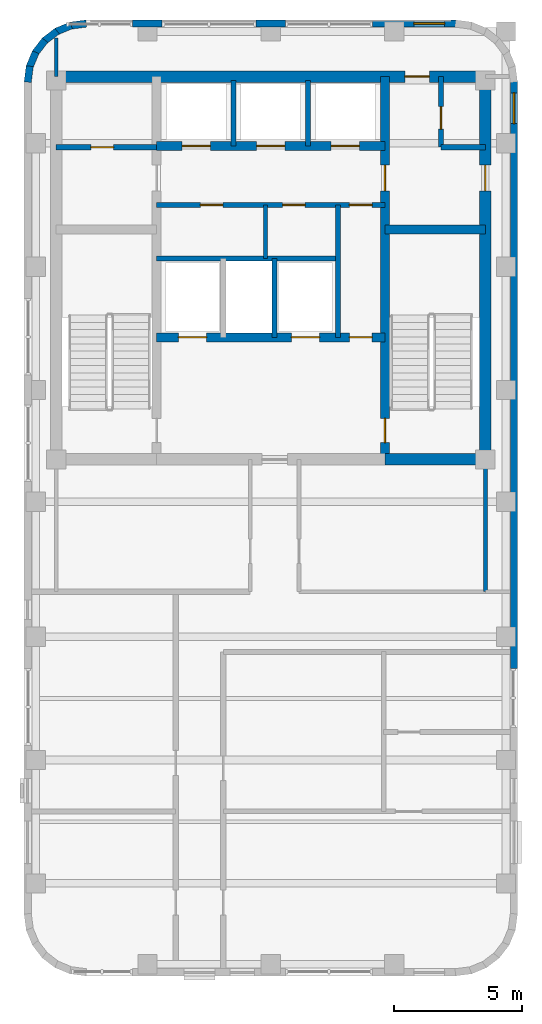
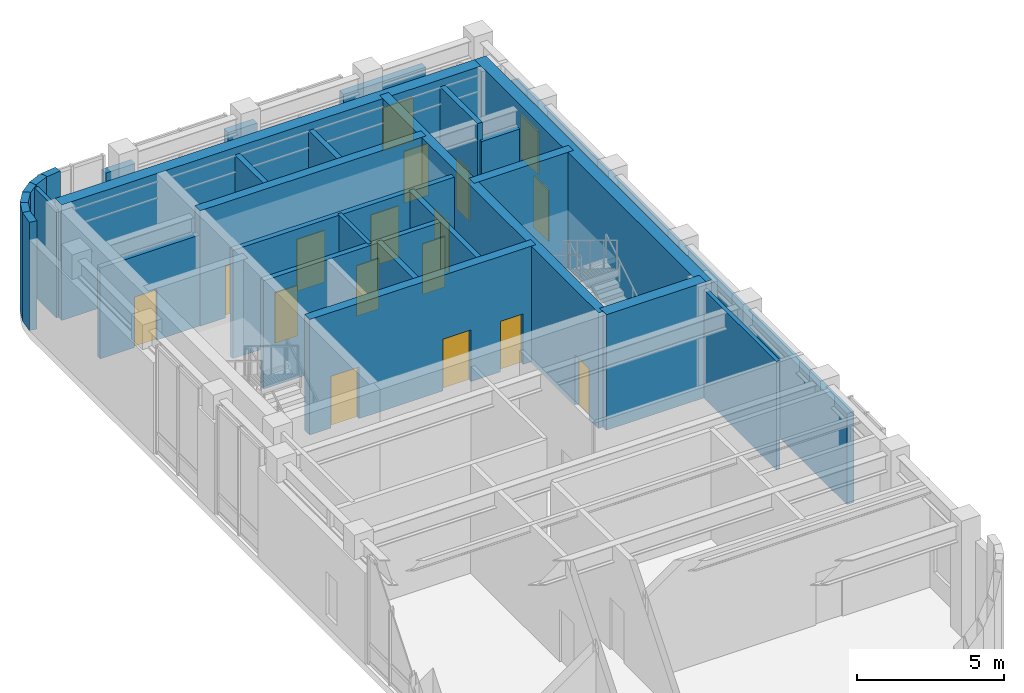
# One storey, part 5 of 8: 29 walls, 15 doors, 2 windows, 17 openings.
"""IFC4 building model written with IfcOpenShell, lengths in metres."""

from ifc_helpers import new_model, si_unit, direction, frame, frame_2d, origin, place, context, subcontext, project, spatial, rectangle, extrude, material, layer, layer_set, type_object, element, fill, save


model = new_model("IFC4")

# Units and contexts
model_context = context("Model", 3, precision=1e-05, world=origin(), true_north=direction((0.0, 1.0)))
body_context = subcontext(model_context, "Body", "Model", "MODEL_VIEW")
ifc_project = project(units=[si_unit("LENGTHUNIT", "METRE"), si_unit("AREAUNIT", "SQUARE_METRE"), si_unit("VOLUMEUNIT", "CUBIC_METRE"), si_unit("PLANEANGLEUNIT", "RADIAN"), si_unit("MASSUNIT", "GRAM", prefix="KILO")], contexts=[model_context])

# Site, building, storey
site_placement = place(None, origin())
site = spatial("IfcSite", under=ifc_project, at=site_placement, CompositionType="ELEMENT")
building_placement = place(site_placement, origin())
building = spatial("IfcBuilding", under=site, at=building_placement, Name="Orvandelia Arch Residences", CompositionType="ELEMENT")
storey_placement = place(building_placement, frame((0.0, 0.0, 291.39990234375)))
storey = spatial("IfcBuildingStorey", under=building, at=storey_placement, Name="L75", CompositionType="ELEMENT", Elevation=291.39990234375)

# Wall, openings, doors
ifc_material_1 = material(Name="Concrete C50/60", Category="concrete")
ifc_layer_1 = layer(ifc_material_1, 0.35009765625, Name="Concrete C50/60", Category="concrete")
ifc_layer_set_1 = layer_set([ifc_layer_1], Name="Concrete C50/60")
wall_type_1 = type_object("IfcWallType", Name="WL-CORE-350", PredefinedType="SHEAR", material=ifc_layer_set_1)
wall_1_placement = place(storey_placement, frame((18.840087890625, 30.89990234375, 0.0), z_axis=(0.0, 0.0, 1.0), x_axis=(0.0, 1.0, 0.0)))
wall_1 = element("IfcWall", 1, at=wall_1_placement, inside=storey, type_object=wall_type_1, Name="Core Shear Wall L75-WEB2", PredefinedType="SHEAR", context=body_context, shape_type="SweptSolid", body=[
    extrude(rectangle(XDim=14.900146484375, YDim=0.35009765625, at=frame_2d((7.4501953125, 0.0))), origin(), (0.0, 0.0, 1.0), 4.800048828125),
])
opening_1_placement = place(wall_1_placement, frame((0.64990234375, 0.0, 0.0)))
opening_1 = element("IfcOpeningElement", 2, at=opening_1_placement, cuts=wall_1, Name="Opening D7", PredefinedType="OPENING", context=body_context, shape_type="SweptSolid", body=[
    extrude(rectangle(XDim=0.949951171875, YDim=2.10009765625, at=frame_2d((0.47509765625, 1.050048828125))), frame((0.0, 0.18505859375, 0.0), z_axis=(0.0, -1.0, 0.0), x_axis=(1.0, 0.0, 0.0)), (0.0, 0.0, 1.0), 0.3701171875),
])
opening_2_placement = place(wall_1_placement, frame((10.449951171875, 0.0, 0.0)))
opening_2 = element("IfcOpeningElement", 3, at=opening_2_placement, cuts=wall_1, Name="Opening D6", PredefinedType="OPENING", context=body_context, shape_type="SweptSolid", body=[
    extrude(rectangle(XDim=1.0, YDim=2.14990234375, at=frame_2d((0.5, 1.074951171875))), frame((0.0, 0.18505859375, 0.0), z_axis=(0.0, -1.0, 0.0), x_axis=(1.0, 0.0, 0.0)), (0.0, 0.0, 1.0), 0.3701171875),
])
ifc_material_2 = material(Name="Smokeproof Painted Steel Fire Door", Category="steel")
door_type_1 = type_object("IfcDoorType", Name="DR-FD60-1000", OperationType="NOTDEFINED", PredefinedType="DOOR", material=ifc_material_2)
door_1_placement = place(opening_2_placement, origin())
door_1 = element("IfcDoor", 4, at=door_1_placement, inside=storey, type_object=door_type_1, Name="High-Rise Lift Hall East Vestibule Door L75", OperationType="SINGLE_SWING_RIGHT", OverallHeight=2.14990234375, OverallWidth=1.0, PredefinedType="DOOR", context=body_context, shape_type="SweptSolid", body=[
    extrude(rectangle(XDim=1.0, YDim=2.14990234375, at=frame_2d((0.5, 1.074951171875))), frame((0.0, 0.02490234375, 0.0), z_axis=(0.0, -1.0, 0.0), x_axis=(1.0, 0.0, 0.0)), (0.0, 0.0, 1.0), 0.050048828125),
])
fill(opening_2, door_1)
ifc_material_3 = material(Name="Pressurised Stairwell Fire Door")
door_type_2 = type_object("IfcDoorType", Name="DR-STAIR-950", OperationType="NOTDEFINED", PredefinedType="DOOR", material=ifc_material_3)
door_2_placement = place(opening_1_placement, origin())
door_2 = element("IfcDoor", 5, at=door_2_placement, inside=storey, type_object=door_type_2, Name="Stairwell ST-2 Fire Door L75", OperationType="SINGLE_SWING_RIGHT", OverallHeight=2.10009765625, OverallWidth=0.949951171875, PredefinedType="DOOR", context=body_context, shape_type="SweptSolid", body=[
    extrude(rectangle(XDim=0.949951171875, YDim=2.10009765625, at=frame_2d((0.47509765625, 1.050048828125))), frame((0.0, 0.02490234375, 0.0), z_axis=(0.0, -1.0, 0.0), x_axis=(1.0, 0.0, 0.0)), (0.0, 0.0, 1.0), 0.050048828125),
])
fill(opening_1, door_2)

# Wall
wall_2_placement = place(storey_placement, frame((18.840087890625, 39.85009765625, 0.0), z_axis=(0.0, 0.0, 1.0), x_axis=(1.0, 0.0, 0.0)))
element("IfcWall", 6, at=wall_2_placement, inside=storey, type_object=wall_type_1, Name="Core Shear Wall L75-HZ2", PredefinedType="SHEAR", context=body_context, shape_type="SweptSolid", body=[
    extrude(rectangle(XDim=3.909912109375, YDim=0.35009765625, at=frame_2d((1.955078125, 0.0))), origin(), (0.0, 0.0, 1.0), 4.800048828125),
])

# Wall, openings, doors
wall_3_placement = place(storey_placement, frame((9.9599609375, 35.64990234375, 0.0), z_axis=(0.0, 0.0, 1.0), x_axis=(1.0, 0.0, 0.0)))
wall_3 = element("IfcWall", 7, at=wall_3_placement, inside=storey, type_object=wall_type_1, Name="Core Shear Wall L75-HZ3", PredefinedType="SHEAR", context=body_context, shape_type="SweptSolid", body=[
    extrude(rectangle(XDim=8.880126953125, YDim=0.35009765625, at=frame_2d((4.43994140625, 0.0))), origin(), (0.0, 0.0, 1.0), 4.800048828125),
])
opening_3_placement = place(wall_3_placement, frame((0.840087890625, 0.0, 0.0)))
opening_3 = element("IfcOpeningElement", 8, at=opening_3_placement, cuts=wall_3, Name="Opening FLD", PredefinedType="OPENING", context=body_context, shape_type="SweptSolid", body=[
    extrude(rectangle(XDim=1.10009765625, YDim=2.14990234375, at=frame_2d((0.550048828125, 1.074951171875))), frame((0.0, 0.18505859375, 0.0), z_axis=(0.0, -1.0, 0.0), x_axis=(1.0, 0.0, 0.0)), (0.0, 0.0, 1.0), 0.3701171875),
])
opening_4_placement = place(wall_3_placement, frame((5.239990234375, 0.0, 0.0)))
opening_4 = element("IfcOpeningElement", 9, at=opening_4_placement, cuts=wall_3, Name="Opening FLD", PredefinedType="OPENING", context=body_context, shape_type="SweptSolid", body=[
    extrude(rectangle(XDim=1.10009765625, YDim=2.14990234375, at=frame_2d((0.550048828125, 1.074951171875))), frame((0.0, 0.18505859375, 0.0), z_axis=(0.0, -1.0, 0.0), x_axis=(1.0, 0.0, 0.0)), (0.0, 0.0, 1.0), 0.3701171875),
])
opening_5_placement = place(wall_3_placement, frame((7.5, 0.0, 0.0)))
opening_5 = element("IfcOpeningElement", 10, at=opening_5_placement, cuts=wall_3, Name="Opening D5", PredefinedType="OPENING", context=body_context, shape_type="SweptSolid", body=[
    extrude(rectangle(XDim=0.8798828125, YDim=2.10009765625, at=frame_2d((0.43994140625, 1.050048828125))), frame((0.0, 0.18505859375, 0.0), z_axis=(0.0, -1.0, 0.0), x_axis=(1.0, 0.0, 0.0)), (0.0, 0.0, 1.0), 0.3701171875),
])
ifc_material_4 = material(Name="Firefighting Lift Stainless Sliding Door")
door_type_3 = type_object("IfcDoorType", Name="DR-FLFT-1100", OperationType="NOTDEFINED", PredefinedType="DOOR", material=ifc_material_4)
door_3_placement = place(opening_3_placement, origin())
door_3 = element("IfcDoor", 11, at=door_3_placement, inside=storey, type_object=door_type_3, Name="Firefighting Lift Landing Door FLD-FL1-L75", OperationType="SLIDING_TO_LEFT", OverallHeight=2.14990234375, OverallWidth=1.10009765625, PredefinedType="DOOR", context=body_context, shape_type="SweptSolid", body=[
    extrude(rectangle(XDim=1.10009765625, YDim=2.14990234375, at=frame_2d((0.550048828125, 1.074951171875))), frame((0.0, 0.02490234375, 0.0), z_axis=(0.0, -1.0, 0.0), x_axis=(1.0, 0.0, 0.0)), (0.0, 0.0, 1.0), 0.050048828125),
])
fill(opening_3, door_3)
door_4_placement = place(opening_4_placement, origin())
door_4 = element("IfcDoor", 12, at=door_4_placement, inside=storey, type_object=door_type_3, Name="Firefighting Lift Landing Door FLD-FL2-L75", OperationType="SLIDING_TO_RIGHT", OverallHeight=2.14990234375, OverallWidth=1.10009765625, PredefinedType="DOOR", context=body_context, shape_type="SweptSolid", body=[
    extrude(rectangle(XDim=1.10009765625, YDim=2.14990234375, at=frame_2d((0.550048828125, 1.074951171875))), frame((0.0, 0.02490234375, 0.0), z_axis=(0.0, -1.0, 0.0), x_axis=(1.0, 0.0, 0.0)), (0.0, 0.0, 1.0), 0.050048828125),
])
fill(opening_4, door_4)
ifc_material_5 = material(Name="Painted Galvanised Steel Service Door", Category="steel")
door_type_4 = type_object("IfcDoorType", Name="DR-SRV-880", OperationType="NOTDEFINED", PredefinedType="DOOR", material=ifc_material_5)
door_5_placement = place(opening_5_placement, origin())
door_5 = element("IfcDoor", 13, at=door_5_placement, inside=storey, type_object=door_type_4, Name="Core Stairway Passage South Fire Door L75", OperationType="SINGLE_SWING_LEFT", OverallHeight=2.10009765625, OverallWidth=0.8798828125, PredefinedType="DOOR", context=body_context, shape_type="SweptSolid", body=[
    extrude(rectangle(XDim=0.8798828125, YDim=2.10009765625, at=frame_2d((0.43994140625, 1.050048828125))), frame((0.0, 0.02490234375, 0.0), z_axis=(0.0, -1.0, 0.0), x_axis=(1.0, 0.0, 0.0)), (0.0, 0.0, 1.0), 0.050048828125),
])
fill(opening_5, door_5)

wall_4_placement = place(storey_placement, frame((9.9599609375, 43.10009765625, 0.0), z_axis=(0.0, 0.0, 1.0), x_axis=(1.0, 0.0, 0.0)))
wall_4 = element("IfcWall", 14, at=wall_4_placement, inside=storey, type_object=wall_type_1, Name="Core Shear Wall L75-HZ4", PredefinedType="SHEAR", context=body_context, shape_type="SweptSolid", body=[
    extrude(rectangle(XDim=8.880126953125, YDim=0.35009765625, at=frame_2d((4.43994140625, 0.0))), origin(), (0.0, 0.0, 1.0), 4.800048828125),
])
opening_6_placement = place(wall_4_placement, frame((0.989990234375, 0.0, 0.0)))
opening_6 = element("IfcOpeningElement", 15, at=opening_6_placement, cuts=wall_4, Name="Opening LD", PredefinedType="OPENING", context=body_context, shape_type="SweptSolid", body=[
    extrude(rectangle(XDim=1.10009765625, YDim=2.14990234375, at=frame_2d((0.550048828125, 1.074951171875))), frame((0.0, 0.18505859375, 0.0), z_axis=(0.0, -1.0, 0.0), x_axis=(1.0, 0.0, 0.0)), (0.0, 0.0, 1.0), 0.3701171875),
])
opening_7_placement = place(wall_4_placement, frame((3.889892578125, 0.0, 0.0)))
opening_7 = element("IfcOpeningElement", 16, at=opening_7_placement, cuts=wall_4, Name="Opening LD", PredefinedType="OPENING", context=body_context, shape_type="SweptSolid", body=[
    extrude(rectangle(XDim=1.10009765625, YDim=2.14990234375, at=frame_2d((0.550048828125, 1.074951171875))), frame((0.0, 0.18505859375, 0.0), z_axis=(0.0, -1.0, 0.0), x_axis=(1.0, 0.0, 0.0)), (0.0, 0.0, 1.0), 0.3701171875),
])
opening_8_placement = place(wall_4_placement, frame((6.7900390625, 0.0, 0.0)))
opening_8 = element("IfcOpeningElement", 17, at=opening_8_placement, cuts=wall_4, Name="Opening LD", PredefinedType="OPENING", context=body_context, shape_type="SweptSolid", body=[
    extrude(rectangle(XDim=1.10009765625, YDim=2.14990234375, at=frame_2d((0.550048828125, 1.074951171875))), frame((0.0, 0.18505859375, 0.0), z_axis=(0.0, -1.0, 0.0), x_axis=(1.0, 0.0, 0.0)), (0.0, 0.0, 1.0), 0.3701171875),
])
ifc_material_6 = material(Name="Brushed Stainless Steel Sliding Lift Door", Category="steel")
door_type_5 = type_object("IfcDoorType", Name="DR-LIFT-1100", OperationType="NOTDEFINED", PredefinedType="DOOR", material=ifc_material_6)
door_6_placement = place(opening_6_placement, origin())
door_6 = element("IfcDoor", 18, at=door_6_placement, inside=storey, type_object=door_type_5, Name="Lift Landing Door LD-PH1-L75", OperationType="SLIDING_TO_LEFT", OverallHeight=2.14990234375, OverallWidth=1.10009765625, PredefinedType="DOOR", context=body_context, shape_type="SweptSolid", body=[
    extrude(rectangle(XDim=1.10009765625, YDim=2.14990234375, at=frame_2d((0.550048828125, 1.074951171875))), frame((0.0, 0.02490234375, 0.0), z_axis=(0.0, -1.0, 0.0), x_axis=(1.0, 0.0, 0.0)), (0.0, 0.0, 1.0), 0.050048828125),
])
fill(opening_6, door_6)
door_7_placement = place(opening_7_placement, origin())
door_7 = element("IfcDoor", 19, at=door_7_placement, inside=storey, type_object=door_type_5, Name="Lift Landing Door LD-PH2-L75", OperationType="SLIDING_TO_RIGHT", OverallHeight=2.14990234375, OverallWidth=1.10009765625, PredefinedType="DOOR", context=body_context, shape_type="SweptSolid", body=[
    extrude(rectangle(XDim=1.10009765625, YDim=2.14990234375, at=frame_2d((0.550048828125, 1.074951171875))), frame((0.0, 0.02490234375, 0.0), z_axis=(0.0, -1.0, 0.0), x_axis=(1.0, 0.0, 0.0)), (0.0, 0.0, 1.0), 0.050048828125),
])
fill(opening_7, door_7)
door_8_placement = place(opening_8_placement, origin())
door_8 = element("IfcDoor", 20, at=door_8_placement, inside=storey, type_object=door_type_5, Name="Lift Landing Door LD-PH3-L75", OperationType="SLIDING_TO_LEFT", OverallHeight=2.14990234375, OverallWidth=1.10009765625, PredefinedType="DOOR", context=body_context, shape_type="SweptSolid", body=[
    extrude(rectangle(XDim=1.10009765625, YDim=2.14990234375, at=frame_2d((0.550048828125, 1.074951171875))), frame((0.0, 0.02490234375, 0.0), z_axis=(0.0, -1.0, 0.0), x_axis=(1.0, 0.0, 0.0)), (0.0, 0.0, 1.0), 0.050048828125),
])
fill(opening_8, door_8)

# Wall, opening, door
ifc_layer_2 = layer(ifc_material_1, 0.449951171875, Name="Concrete C50/60", Category="concrete")
ifc_layer_set_2 = layer_set([ifc_layer_2], Name="Concrete C50/60")
wall_type_2 = type_object("IfcWallType", Name="WL-CORE-450", PredefinedType="SHEAR", material=ifc_layer_set_2)
wall_5_placement = place(storey_placement, frame((22.75, 30.675048828125, 0.0), z_axis=(0.0, 0.0, 1.0), x_axis=(0.0, 1.0, 0.0)))
wall_5 = element("IfcWall", 21, at=wall_5_placement, inside=storey, type_object=wall_type_2, Name="Core Shear Wall L75-E", PredefinedType="SHEAR", context=body_context, shape_type="SweptSolid", body=[
    extrude(rectangle(XDim=15.349853515625, YDim=0.449951171875, at=frame_2d((7.6748046875, 0.0))), origin(), (0.0, 0.0, 1.0), 4.800048828125),
])
opening_9_placement = place(wall_5_placement, frame((10.675048828125, 0.0, 0.0)))
opening_9 = element("IfcOpeningElement", 22, at=opening_9_placement, cuts=wall_5, Name="Opening D6", PredefinedType="OPENING", context=body_context, shape_type="SweptSolid", body=[
    extrude(rectangle(XDim=1.0, YDim=2.14990234375, at=frame_2d((0.5, 1.074951171875))), frame((0.0, 0.23486328125, 0.0), z_axis=(0.0, -1.0, 0.0), x_axis=(1.0, 0.0, 0.0)), (0.0, 0.0, 1.0), 0.469970703125),
])
door_9_placement = place(opening_9_placement, origin())
door_9 = element("IfcDoor", 23, at=door_9_placement, inside=storey, type_object=door_type_1, Name="Core East Corridor Link Door L75", OperationType="SINGLE_SWING_LEFT", OverallHeight=2.14990234375, OverallWidth=1.0, PredefinedType="DOOR", context=body_context, shape_type="SweptSolid", body=[
    extrude(rectangle(XDim=1.0, YDim=2.14990234375, at=frame_2d((0.5, 1.074951171875))), frame((0.0, 0.02490234375, 0.0), z_axis=(0.0, -1.0, 0.0), x_axis=(1.0, 0.0, 0.0)), (0.0, 0.0, 1.0), 0.050048828125),
])
fill(opening_9, door_9)

wall_6_placement = place(storey_placement, frame((6.050048828125, 45.800048828125, 0.0), z_axis=(0.0, 0.0, 1.0), x_axis=(1.0, 0.0, 0.0)))
wall_6 = element("IfcWall", 24, at=wall_6_placement, inside=storey, type_object=wall_type_2, Name="Core Shear Wall L75-N", PredefinedType="SHEAR", context=body_context, shape_type="SweptSolid", body=[
    extrude(rectangle(XDim=16.699951171875, YDim=0.449951171875, at=frame_2d((8.35009765625, 0.0))), origin(), (0.0, 0.0, 1.0), 4.800048828125),
])
opening_10_placement = place(wall_6_placement, frame((13.570068359375, 0.0, 0.0)))
opening_10 = element("IfcOpeningElement", 25, at=opening_10_placement, cuts=wall_6, Name="Opening D2", PredefinedType="OPENING", context=body_context, shape_type="SweptSolid", body=[
    extrude(rectangle(XDim=0.949951171875, YDim=2.14990234375, at=frame_2d((0.47509765625, 1.074951171875))), frame((0.0, 0.23486328125, 0.0), z_axis=(0.0, -1.0, 0.0), x_axis=(1.0, 0.0, 0.0)), (0.0, 0.0, 1.0), 0.469970703125),
])
ifc_material_7 = material(Name="Solid-Core Timber Interior Fire Door", Category="wood")
door_type_6 = type_object("IfcDoorType", Name="DR-APT-950", OperationType="NOTDEFINED", PredefinedType="DOOR", material=ifc_material_7)
door_10_placement = place(opening_10_placement, origin())
door_10 = element("IfcDoor", 26, at=door_10_placement, inside=storey, type_object=door_type_6, Name="North Harbour Suite Entry Door L75", OperationType="SINGLE_SWING_LEFT", OverallHeight=2.14990234375, OverallWidth=0.949951171875, PredefinedType="DOOR", context=body_context, shape_type="SweptSolid", body=[
    extrude(rectangle(XDim=0.949951171875, YDim=2.14990234375, at=frame_2d((0.47509765625, 1.074951171875))), frame((0.0, 0.02490234375, 0.0), z_axis=(0.0, -1.0, 0.0), x_axis=(1.0, 0.0, 0.0)), (0.0, 0.0, 1.0), 0.050048828125),
])
fill(opening_10, door_10)

# Walls
wall_7_placement = place(storey_placement, frame((18.840087890625, 30.89990234375, 0.0), z_axis=(0.0, 0.0, 1.0), x_axis=(1.0, 0.0, 0.0)))
element("IfcWall", 27, at=wall_7_placement, inside=storey, type_object=wall_type_2, Name="Core Shear Wall L75-SE", PredefinedType="SHEAR", context=body_context, shape_type="SweptSolid", body=[
    extrude(rectangle(XDim=3.909912109375, YDim=0.449951171875, at=frame_2d((1.955078125, 0.0))), origin(), (0.0, 0.0, 1.0), 4.800048828125),
])
ifc_material_8 = material(Name="Precast concrete C40/50", Category="concrete")
ifc_layer_3 = layer(ifc_material_8, 0.280029296875, Name="Precast concrete C40/50", Category="concrete")
ifc_layer_set_3 = layer_set([ifc_layer_3], Name="Precast concrete C40/50")
wall_type_3 = type_object("IfcWallType", Name="WL-EXT-STONE-280", PredefinedType="STANDARD", material=ifc_layer_set_3)
for number, where, z_axis, x_axis, name in (
    (28, (4.938720703125, 45.581787109375, 0.0), (0.0, 0.0, 1.0), (0.130555323746, 0.9914410257, 0.0), "Coral-Limestone Precast Facade Wall L75-001"),
    (29, (5.010986328125, 46.16748046875, 0.0), (0.0, 0.0, 1.0), (0.382650053678, 0.92389335771, 0.0), "Coral-Limestone Precast Facade Wall L75-002"),
    (30, (5.232666015625, 46.71484375, 0.0), (0.0, 0.0, 1.0), (0.608693302629, 0.793405610854, 0.0), "Coral-Limestone Precast Facade Wall L75-003"),
    (31, (5.588134765625, 47.18603515625, 0.0), (0.0, 0.0, 1.0), (0.793405610854, 0.608693302629, 0.0), "Coral-Limestone Precast Facade Wall L75-004"),
):
    element("IfcWall", number, at=place(storey_placement, frame(where, z_axis=z_axis, x_axis=x_axis)), inside=storey, type_object=wall_type_3, Name=name, PredefinedType="STANDARD", context=body_context, shape_type="SweptSolid", body=[
        extrude(rectangle(XDim=0.62646484375, YDim=0.280029296875, at=frame_2d((0.313232421875, 0.0))), origin(), (0.0, 0.0, 1.0), 4.5),
    ])
wall_8_placement = place(storey_placement, frame((6.0537109375, 47.54931640625, 0.0), z_axis=(0.0, 0.0, 1.0), x_axis=(0.923974080304, 0.382455093999, 0.0)))
element("IfcWall", 32, at=wall_8_placement, inside=storey, type_object=wall_type_3, Name="Coral-Limestone Precast Facade Wall L75-005", PredefinedType="STANDARD", context=body_context, shape_type="SweptSolid", body=[
    extrude(rectangle(XDim=0.626220703125, YDim=0.280029296875, at=frame_2d((0.31298828125, 0.0))), origin(), (0.0, 0.0, 1.0), 4.5),
])
wall_9_placement = place(storey_placement, frame((6.59716796875, 47.779296875, 0.0), z_axis=(0.0, 0.0, 1.0), x_axis=(0.9914410257, 0.130555323746, 0.0)))
element("IfcWall", 33, at=wall_9_placement, inside=storey, type_object=wall_type_3, Name="Coral-Limestone Precast Facade Wall L75-006", PredefinedType="STANDARD", context=body_context, shape_type="SweptSolid", body=[
    extrude(rectangle(XDim=0.62646484375, YDim=0.280029296875, at=frame_2d((0.313232421875, 0.0))), origin(), (0.0, 0.0, 1.0), 4.5),
])
for number, where, z_axis, x_axis, name in (
    (34, (9.02490234375, 47.860107421875, 0.0), (0.0, 0.0, 1.0), (1.0, 0.0, 0.0), "Coral-Limestone Precast Facade Wall L75-007"),
    (35, (13.824951171875, 47.860107421875, 0.0), (0.0, 0.0, 1.0), (1.0, 0.0, 0.0), "Coral-Limestone Precast Facade Wall L75-008"),
):
    element("IfcWall", number, at=place(storey_placement, frame(where, z_axis=z_axis, x_axis=x_axis)), inside=storey, type_object=wall_type_3, Name=name, PredefinedType="STANDARD", context=body_context, shape_type="SweptSolid", body=[
        extrude(rectangle(XDim=1.150146484375, YDim=0.280029296875, at=frame_2d((0.5751953125, 0.0))), origin(), (0.0, 0.0, 1.0), 3.780029296875),
    ])

# Wall, opening, window
wall_10_placement = place(storey_placement, frame((18.360107421875, 47.860107421875, 0.0), z_axis=(0.0, 0.0, 1.0), x_axis=(1.0, 0.0, 0.0)))
wall_10 = element("IfcWall", 36, at=wall_10_placement, inside=storey, type_object=wall_type_3, Name="Coral-Limestone Precast Facade Wall L75-009", PredefinedType="STANDARD", context=body_context, shape_type="SweptSolid", body=[
    extrude(rectangle(XDim=3.239990234375, YDim=0.280029296875, at=frame_2d((1.6201171875, 0.0))), origin(), (0.0, 0.0, 1.0), 3.780029296875),
])
opening_11_placement = place(wall_10_placement, frame((1.607421875, 0.0, 0.800048828125)))
opening_11 = element("IfcOpeningElement", 37, at=opening_11_placement, cuts=wall_10, Name="Opening W3", PredefinedType="OPENING", context=body_context, shape_type="SweptSolid", body=[
    extrude(rectangle(XDim=1.199951171875, YDim=1.800048828125, at=frame_2d((0.60009765625, 0.89990234375))), frame((0.0, 0.14990234375, 0.0), z_axis=(0.0, -1.0, 0.0), x_axis=(1.0, 0.0, 0.0)), (0.0, 0.0, 1.0), 0.300048828125),
])
ifc_material_9 = material(Name="Tempered Low-E Insulated Glazing", Category="glass")
window_type = type_object("IfcWindowType", Name="WIN-RES-1200x1800", PartitioningType="SINGLE_PANEL", PredefinedType="WINDOW", material=ifc_material_9)
window_1_placement = place(opening_11_placement, origin())
window_1 = element("IfcWindow", 38, at=window_1_placement, inside=storey, type_object=window_type, Name="Recessed Punched Window L75-001", OverallHeight=1.800048828125, OverallWidth=1.199951171875, PartitioningType="SINGLE_PANEL", PredefinedType="WINDOW", context=body_context, shape_type="SweptSolid", body=[
    extrude(rectangle(XDim=1.199951171875, YDim=1.800048828125, at=frame_2d((0.60009765625, 0.89990234375))), frame((0.0, 0.030029296875, 0.0), z_axis=(0.0, -1.0, 0.0), x_axis=(1.0, 0.0, 0.0)), (0.0, 0.0, 1.0), 0.06005859375),
])
fill(opening_11, window_1)

wall_11_placement = place(storey_placement, frame((23.860107421875, 45.60009765625, 0.0), z_axis=(0.0, 0.0, 1.0), x_axis=(0.0, -1.0, 0.0)))
wall_11 = element("IfcWall", 39, at=wall_11_placement, inside=storey, type_object=wall_type_3, Name="Coral-Limestone Precast Facade Wall L75-016", PredefinedType="STANDARD", context=body_context, shape_type="SweptSolid", body=[
    extrude(rectangle(XDim=22.840087890625, YDim=0.280029296875, at=frame_2d((11.419921875, 0.0))), origin(), (0.0, 0.0, 1.0), 3.780029296875),
])
opening_12_placement = place(wall_11_placement, frame((0.4326171875, 0.0, 0.800048828125)))
opening_12 = element("IfcOpeningElement", 40, at=opening_12_placement, cuts=wall_11, Name="Opening W3", PredefinedType="OPENING", context=body_context, shape_type="SweptSolid", body=[
    extrude(rectangle(XDim=1.199951171875, YDim=1.800048828125, at=frame_2d((0.60009765625, 0.89990234375))), frame((0.0, 0.14990234375, 0.0), z_axis=(0.0, -1.0, 0.0), x_axis=(1.0, 0.0, 0.0)), (0.0, 0.0, 1.0), 0.300048828125),
])
window_2_placement = place(opening_12_placement, origin())
window_2 = element("IfcWindow", 41, at=window_2_placement, inside=storey, type_object=window_type, Name="Recessed Punched Window L75-002", OverallHeight=1.800048828125, OverallWidth=1.199951171875, PartitioningType="SINGLE_PANEL", PredefinedType="WINDOW", context=body_context, shape_type="SweptSolid", body=[
    extrude(rectangle(XDim=1.199951171875, YDim=1.800048828125, at=frame_2d((0.60009765625, 0.89990234375))), frame((0.0, 0.030029296875, 0.0), z_axis=(0.0, -1.0, 0.0), x_axis=(1.0, 0.0, 0.0)), (0.0, 0.0, 1.0), 0.06005859375),
])
fill(opening_12, window_2)

# Walls
ifc_material_10 = material(Name="Acoustic Gypsum Stud Partition")
ifc_layer_4 = layer(ifc_material_10, 0.14990234375, Name="Acoustic Gypsum Stud Partition")
ifc_layer_set_4 = layer_set([ifc_layer_4], Name="Acoustic Gypsum Stud Partition")
wall_type_4 = type_object("IfcWallType", Name="WL-PART-150", PredefinedType="PARTITIONING", material=ifc_layer_set_4)
wall_12_placement = place(storey_placement, frame((14.199951171875, 38.719970703125, 0.0), z_axis=(0.0, 0.0, 1.0), x_axis=(0.0, 1.0, 0.0)))
element("IfcWall", 42, at=wall_12_placement, inside=storey, type_object=wall_type_4, Name="Interior Partition Wall WL-L75-CSA-1", PredefinedType="PARTITIONING", context=body_context, shape_type="SweptSolid", body=[
    extrude(rectangle(XDim=2.080078125, YDim=0.14990234375, at=frame_2d((1.0400390625, 0.0))), origin(), (0.0, 0.0, 1.0), 4.5),
])
wall_13_placement = place(storey_placement, frame((22.75, 25.75, 0.0), z_axis=(0.0, 0.0, 1.0), x_axis=(0.0, 1.0, 0.0)))
element("IfcWall", 43, at=wall_13_placement, inside=storey, type_object=wall_type_4, Name="Interior Partition Wall WL-L75-HI-WE", PredefinedType="PARTITIONING", context=body_context, shape_type="SweptSolid", body=[
    extrude(rectangle(XDim=5.14990234375, YDim=0.14990234375, at=frame_2d((2.574951171875, 0.0))), origin(), (0.0, 0.0, 1.0), 4.5),
])
wall_14_placement = place(storey_placement, frame((6.050048828125, 45.800048828125, 0.0), z_axis=(0.0, 0.0, 1.0), x_axis=(0.0, 1.0, 0.0)))
element("IfcWall", 44, at=wall_14_placement, inside=storey, type_object=wall_type_4, Name="Interior Partition Wall WL-L75-N75W", PredefinedType="PARTITIONING", context=body_context, shape_type="SweptSolid", body=[
    extrude(rectangle(XDim=1.5, YDim=0.14990234375, at=frame_2d((0.75, 0.0))), origin(), (0.0, 0.0, 1.0), 4.5),
])
ifc_material_11 = material(Name="Fire-Rated Shaft Enclosure Wall")
ifc_layer_5 = layer(ifc_material_11, 0.199951171875, Name="Fire-Rated Shaft Enclosure Wall")
ifc_layer_set_5 = layer_set([ifc_layer_5], Name="Fire-Rated Shaft Enclosure Wall")
wall_type_5 = type_object("IfcWallType", Name="WL-SHAFT-200", PredefinedType="POLYGONAL", material=ifc_layer_set_5)
wall_15_placement = place(storey_placement, frame((9.9599609375, 38.719970703125, 0.0), z_axis=(0.0, 0.0, 1.0), x_axis=(1.0, 0.0, 0.0)))
element("IfcWall", 45, at=wall_15_placement, inside=storey, type_object=wall_type_5, Name="Interior Partition Wall WL-L75-FLN", PredefinedType="POLYGONAL", context=body_context, shape_type="SweptSolid", body=[
    extrude(rectangle(XDim=7.06005859375, YDim=0.199951171875, at=frame_2d((3.530029296875, 0.0))), origin(), (0.0, 0.0, 1.0), 4.5),
])
wall_16_placement = place(storey_placement, frame((14.550048828125, 35.64990234375, 0.0), z_axis=(0.0, 0.0, 1.0), x_axis=(0.0, 1.0, 0.0)))
element("IfcWall", 46, at=wall_16_placement, inside=storey, type_object=wall_type_5, Name="Interior Partition Wall WL-L75-FLM2", PredefinedType="POLYGONAL", context=body_context, shape_type="SweptSolid", body=[
    extrude(rectangle(XDim=3.070068359375, YDim=0.199951171875, at=frame_2d((1.53515625, 0.0))), origin(), (0.0, 0.0, 1.0), 4.5),
])
wall_17_placement = place(storey_placement, frame((17.02001953125, 35.64990234375, 0.0), z_axis=(0.0, 0.0, 1.0), x_axis=(0.0, 1.0, 0.0)))
element("IfcWall", 47, at=wall_17_placement, inside=storey, type_object=wall_type_5, Name="Interior Partition Wall WL-L75-FLM3", PredefinedType="POLYGONAL", context=body_context, shape_type="SweptSolid", body=[
    extrude(rectangle(XDim=5.150146484375, YDim=0.199951171875, at=frame_2d((2.5751953125, 0.0))), origin(), (0.0, 0.0, 1.0), 4.5),
])

# Wall, openings, doors
wall_18_placement = place(storey_placement, frame((9.9599609375, 40.800048828125, 0.0), z_axis=(0.0, 0.0, 1.0), x_axis=(1.0, 0.0, 0.0)))
wall_18 = element("IfcWall", 48, at=wall_18_placement, inside=storey, type_object=wall_type_5, Name="Interior Partition Wall WL-L75-HLH-S", PredefinedType="POLYGONAL", context=body_context, shape_type="SweptSolid", body=[
    extrude(rectangle(XDim=8.880126953125, YDim=0.199951171875, at=frame_2d((4.43994140625, 0.0))), origin(), (0.0, 0.0, 1.0), 4.5),
])
opening_13_placement = place(wall_18_placement, frame((7.5, 0.0, 0.0)))
opening_13 = element("IfcOpeningElement", 49, at=opening_13_placement, cuts=wall_18, Name="Opening D5", PredefinedType="OPENING", context=body_context, shape_type="SweptSolid", body=[
    extrude(rectangle(XDim=0.8798828125, YDim=2.10009765625, at=frame_2d((0.43994140625, 1.050048828125))), frame((0.0, 0.10986328125, 0.0), z_axis=(0.0, -1.0, 0.0), x_axis=(1.0, 0.0, 0.0)), (0.0, 0.0, 1.0), 0.219970703125),
])
opening_14_placement = place(wall_18_placement, frame((1.699951171875, 0.0, 0.0)))
opening_14 = element("IfcOpeningElement", 50, at=opening_14_placement, cuts=wall_18, Name="Opening D5", PredefinedType="OPENING", context=body_context, shape_type="SweptSolid", body=[
    extrude(rectangle(XDim=0.8798828125, YDim=2.10009765625, at=frame_2d((0.43994140625, 1.050048828125))), frame((0.0, 0.10986328125, 0.0), z_axis=(0.0, -1.0, 0.0), x_axis=(1.0, 0.0, 0.0)), (0.0, 0.0, 1.0), 0.219970703125),
])
opening_15_placement = place(wall_18_placement, frame((4.89990234375, 0.0, 0.0)))
opening_15 = element("IfcOpeningElement", 51, at=opening_15_placement, cuts=wall_18, Name="Opening D5", PredefinedType="OPENING", context=body_context, shape_type="SweptSolid", body=[
    extrude(rectangle(XDim=0.8798828125, YDim=2.10009765625, at=frame_2d((0.43994140625, 1.050048828125))), frame((0.0, 0.10986328125, 0.0), z_axis=(0.0, -1.0, 0.0), x_axis=(1.0, 0.0, 0.0)), (0.0, 0.0, 1.0), 0.219970703125),
])
door_11_placement = place(opening_13_placement, origin())
door_11 = element("IfcDoor", 52, at=door_11_placement, inside=storey, type_object=door_type_4, Name="Core Stairway Passage North Fire Door L75", OperationType="SINGLE_SWING_RIGHT", OverallHeight=2.10009765625, OverallWidth=0.8798828125, PredefinedType="DOOR", context=body_context, shape_type="SweptSolid", body=[
    extrude(rectangle(XDim=0.8798828125, YDim=2.10009765625, at=frame_2d((0.43994140625, 1.050048828125))), frame((0.0, 0.02490234375, 0.0), z_axis=(0.0, -1.0, 0.0), x_axis=(1.0, 0.0, 0.0)), (0.0, 0.0, 1.0), 0.050048828125),
])
fill(opening_13, door_11)
door_12_placement = place(opening_14_placement, origin())
door_12 = element("IfcDoor", 53, at=door_12_placement, inside=storey, type_object=door_type_4, Name="DR-L75-CSA1", OperationType="SINGLE_SWING_LEFT", OverallHeight=2.10009765625, OverallWidth=0.8798828125, PredefinedType="DOOR", context=body_context, shape_type="SweptSolid", body=[
    extrude(rectangle(XDim=0.8798828125, YDim=2.10009765625, at=frame_2d((0.43994140625, 1.050048828125))), frame((0.0, 0.02490234375, 0.0), z_axis=(0.0, -1.0, 0.0), x_axis=(1.0, 0.0, 0.0)), (0.0, 0.0, 1.0), 0.050048828125),
])
fill(opening_14, door_12)
door_13_placement = place(opening_15_placement, origin())
door_13 = element("IfcDoor", 54, at=door_13_placement, inside=storey, type_object=door_type_4, Name="DR-L75-CSA2", OperationType="SINGLE_SWING_RIGHT", OverallHeight=2.10009765625, OverallWidth=0.8798828125, PredefinedType="DOOR", context=body_context, shape_type="SweptSolid", body=[
    extrude(rectangle(XDim=0.8798828125, YDim=2.10009765625, at=frame_2d((0.43994140625, 1.050048828125))), frame((0.0, 0.02490234375, 0.0), z_axis=(0.0, -1.0, 0.0), x_axis=(1.0, 0.0, 0.0)), (0.0, 0.0, 1.0), 0.050048828125),
])
fill(opening_15, door_13)

# Wall
wall_19_placement = place(storey_placement, frame((21.02001953125, 43.050048828125, 0.0), z_axis=(0.0, 0.0, 1.0), x_axis=(1.0, 0.0, 0.0)))
element("IfcWall", 55, at=wall_19_placement, inside=storey, type_object=wall_type_5, Name="Interior Partition Wall WL-L75-HLE-N", PredefinedType="POLYGONAL", context=body_context, shape_type="SweptSolid", body=[
    extrude(rectangle(XDim=1.72998046875, YDim=0.199951171875, at=frame_2d((0.864990234375, 0.0))), origin(), (0.0, 0.0, 1.0), 3.780029296875),
])

# Wall, opening, door
wall_20_placement = place(storey_placement, frame((21.02001953125, 43.050048828125, 0.0), z_axis=(0.0, 0.0, 1.0), x_axis=(0.0, 1.0, 0.0)))
wall_20 = element("IfcWall", 56, at=wall_20_placement, inside=storey, type_object=wall_type_5, Name="Interior Partition Wall WL-L75-HLE-W21", PredefinedType="POLYGONAL", context=body_context, shape_type="SweptSolid", body=[
    extrude(rectangle(XDim=2.75, YDim=0.199951171875, at=frame_2d((1.375, 0.0))), origin(), (0.0, 0.0, 1.0), 4.5),
])
opening_16_placement = place(wall_20_placement, frame((0.699951171875, 0.0, 0.0)))
opening_16 = element("IfcOpeningElement", 57, at=opening_16_placement, cuts=wall_20, Name="Opening D5", PredefinedType="OPENING", context=body_context, shape_type="SweptSolid", body=[
    extrude(rectangle(XDim=0.8798828125, YDim=2.10009765625, at=frame_2d((0.43994140625, 1.050048828125))), frame((0.0, 0.10986328125, 0.0), z_axis=(0.0, -1.0, 0.0), x_axis=(1.0, 0.0, 0.0)), (0.0, 0.0, 1.0), 0.219970703125),
])
door_14_placement = place(opening_16_placement, origin())
door_14 = element("IfcDoor", 58, at=door_14_placement, inside=storey, type_object=door_type_4, Name="DR-L75-CSB1", OperationType="SINGLE_SWING_LEFT", OverallHeight=2.10009765625, OverallWidth=0.8798828125, PredefinedType="DOOR", context=body_context, shape_type="SweptSolid", body=[
    extrude(rectangle(XDim=0.8798828125, YDim=2.10009765625, at=frame_2d((0.43994140625, 1.050048828125))), frame((0.0, 0.02490234375, 0.0), z_axis=(0.0, -1.0, 0.0), x_axis=(1.0, 0.0, 0.0)), (0.0, 0.0, 1.0), 0.050048828125),
])
fill(opening_16, door_14)

wall_21_placement = place(storey_placement, frame((6.050048828125, 43.050048828125, 0.0), z_axis=(0.0, 0.0, 1.0), x_axis=(1.0, 0.0, 0.0)))
wall_21 = element("IfcWall", 59, at=wall_21_placement, inside=storey, type_object=wall_type_5, Name="Interior Partition Wall WL-L75-HLW-N", PredefinedType="POLYGONAL", context=body_context, shape_type="SweptSolid", body=[
    extrude(rectangle(XDim=3.909912109375, YDim=0.199951171875, at=frame_2d((1.955078125, 0.0))), origin(), (0.0, 0.0, 1.0), 3.780029296875),
])
opening_17_placement = place(wall_21_placement, frame((1.35009765625, 0.0, 0.0)))
opening_17 = element("IfcOpeningElement", 60, at=opening_17_placement, cuts=wall_21, Name="Opening D5", PredefinedType="OPENING", context=body_context, shape_type="SweptSolid", body=[
    extrude(rectangle(XDim=0.8798828125, YDim=2.10009765625, at=frame_2d((0.43994140625, 1.050048828125))), frame((0.0, 0.10986328125, 0.0), z_axis=(0.0, -1.0, 0.0), x_axis=(1.0, 0.0, 0.0)), (0.0, 0.0, 1.0), 0.219970703125),
])
door_15_placement = place(opening_17_placement, origin())
door_15 = element("IfcDoor", 61, at=door_15_placement, inside=storey, type_object=door_type_4, Name="Riser Service Door L75", OperationType="SINGLE_SWING_RIGHT", OverallHeight=2.10009765625, OverallWidth=0.8798828125, PredefinedType="DOOR", context=body_context, shape_type="SweptSolid", body=[
    extrude(rectangle(XDim=0.8798828125, YDim=2.10009765625, at=frame_2d((0.43994140625, 1.050048828125))), frame((0.0, 0.02490234375, 0.0), z_axis=(0.0, -1.0, 0.0), x_axis=(1.0, 0.0, 0.0)), (0.0, 0.0, 1.0), 0.050048828125),
])
fill(opening_17, door_15)

# Walls
for number, where, z_axis, x_axis, name in (
    (62, (12.949951171875, 43.10009765625, 0.0), (0.0, 0.0, 1.0), (0.0, 1.0, 0.0), "Interior Partition Wall WL-L75-PHD1"),
    (63, (15.85009765625, 43.10009765625, 0.0), (0.0, 0.0, 1.0), (0.0, 1.0, 0.0), "Interior Partition Wall WL-L75-PHD2"),
):
    element("IfcWall", number, at=place(storey_placement, frame(where, z_axis=z_axis, x_axis=x_axis)), inside=storey, type_object=wall_type_5, Name=name, PredefinedType="POLYGONAL", context=body_context, shape_type="SweptSolid", body=[
        extrude(rectangle(XDim=2.5498046875, YDim=0.199951171875, at=frame_2d((1.27490234375, 0.0))), origin(), (0.0, 0.0, 1.0), 4.5),
    ])

save(model, "model.ifc")
